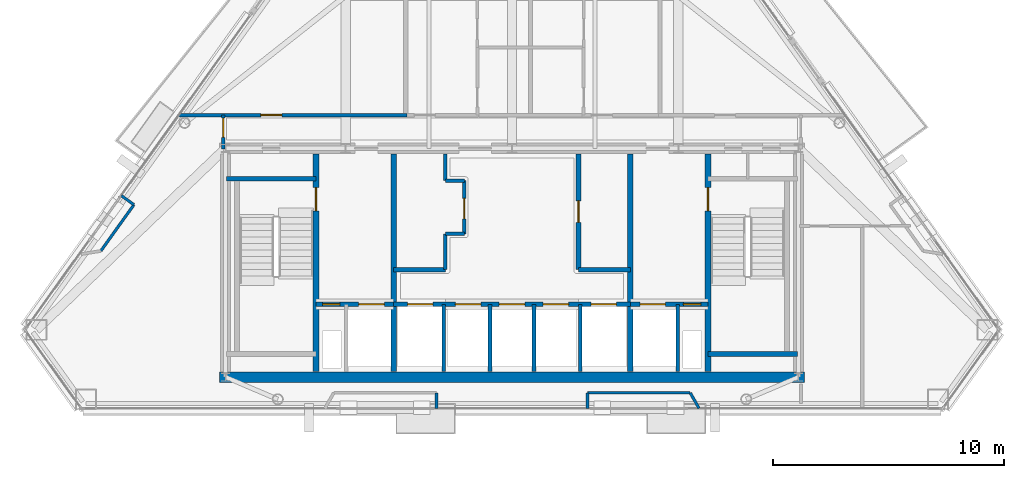
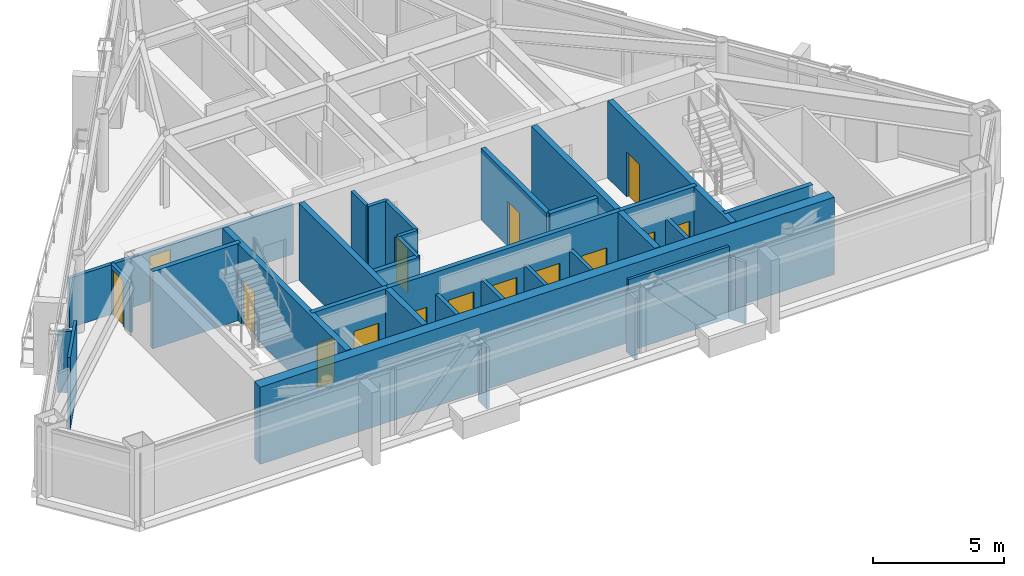
# One storey, part 8 of 12: 31 walls, 15 doors, 15 openings.
"""IFC4 building model written with IfcOpenShell, lengths in metres."""

from ifc_helpers import new_model, si_unit, direction, frame, frame_2d, origin, place, context, subcontext, project, spatial, rectangle, extrude, material, layer, layer_set, type_object, element, fill, save


model = new_model("IFC4")

# Units and contexts
model_context = context("Model", 3, precision=1e-05, world=origin(), true_north=direction((0.0, 1.0)))
body_context = subcontext(model_context, "Body", "Model", "MODEL_VIEW")
ifc_project = project(units=[si_unit("LENGTHUNIT", "METRE"), si_unit("AREAUNIT", "SQUARE_METRE"), si_unit("VOLUMEUNIT", "CUBIC_METRE"), si_unit("PLANEANGLEUNIT", "RADIAN"), si_unit("MASSUNIT", "GRAM", prefix="KILO")], contexts=[model_context])

# Site, building, storey
site_placement = place(None, origin())
site = spatial("IfcSite", under=ifc_project, at=site_placement, CompositionType="ELEMENT")
building_placement = place(site_placement, origin())
building = spatial("IfcBuilding", under=site, at=building_placement, Name="Talgorran Terracotta Tower", CompositionType="ELEMENT")
storey_placement = place(building_placement, frame((0.0, 0.0, 256.199951171875)))
storey = spatial("IfcBuildingStorey", under=building, at=storey_placement, Name="L67", CompositionType="ELEMENT", Elevation=256.199951171875)

# Walls
ifc_material_1 = material(Name="Concrete C50/60", Category="concrete")
ifc_layer_1 = layer(ifc_material_1, 0.199951171875, Name="WT_CORE_200")
ifc_layer_set_1 = layer_set([ifc_layer_1], Name="Concrete C50/60")
wall_type_1 = type_object("IfcWallType", Name="WT_CORE_200", PredefinedType="SOLIDWALL", material=ifc_layer_set_1)
for number, where, z_axis, x_axis, name in (
    (1, (-12.35009765625, -5.52001953125, 0.0), (0.0, 0.0, 1.0), (1.0, 0.0, 0.0), "WL-L67-CW-ST1-N"),
    (2, (8.47998046875, -13.10009765625, 0.0), (0.0, 0.0, 1.0), (1.0, 0.0, 0.0), "WL-L67-CW-ST2-S"),
):
    element("IfcWall", number, at=place(storey_placement, frame(where, z_axis=z_axis, x_axis=x_axis)), inside=storey, type_object=wall_type_1, Name=name, PredefinedType="SOLIDWALL", context=body_context, shape_type="SweptSolid", body=[
        extrude(rectangle(XDim=3.8701171875, YDim=0.199951171875, at=frame_2d((1.93505859375, 0.0))), origin(), (0.0, 0.0, 1.0), 3.60009765625),
    ])

# Wall, openings, doors
wall_1_placement = place(storey_placement, frame((-8.47998046875, -10.949951171875, 0.0), z_axis=(0.0, 0.0, 1.0), x_axis=(1.0, 0.0, 0.0)))
wall_1 = element("IfcWall", 3, at=wall_1_placement, inside=storey, type_object=wall_type_1, Name="WL-L67-CW-H-SBW", PredefinedType="SOLIDWALL", context=body_context, shape_type="SweptSolid", body=[
    extrude(rectangle(XDim=3.35986328125, YDim=0.199951171875, at=frame_2d((1.679931640625, 0.0))), origin(), (0.0, 0.0, 1.0), 3.60009765625),
])
opening_1_placement = place(wall_1_placement, frame((0.280029296875, 0.0, 0.0)))
opening_1 = element("IfcOpeningElement", 4, at=opening_1_placement, cuts=wall_1, Name="Opening DR-RSW", PredefinedType="OPENING", context=body_context, shape_type="SweptSolid", body=[
    extrude(rectangle(XDim=0.756, YDim=2.054048828125, at=frame_2d((0.375, 1.027099609375))), frame((0.0, 0.10986328125, 0.0), z_axis=(0.0, -1.0, 0.0), x_axis=(1.0, 0.0, 0.0)), (0.0, 0.0, 1.0), 0.219970703125),
])
opening_2_placement = place(wall_1_placement, frame((1.85009765625, 0.0, 0.0)))
opening_2 = element("IfcOpeningElement", 5, at=opening_2_placement, cuts=wall_1, Name="Opening LD-FFL1", PredefinedType="OPENING", context=body_context, shape_type="SweptSolid", body=[
    extrude(rectangle(XDim=1.10609765625, YDim=2.10409765625, at=frame_2d((0.550048828125, 1.052001953125))), frame((0.0, 0.10986328125, 0.0), z_axis=(0.0, -1.0, 0.0), x_axis=(1.0, 0.0, 0.0)), (0.0, 0.0, 1.0), 0.219970703125),
])
ifc_material_2 = material(Name="Brushed Stainless Steel Grade 304", Category="steel")
door_type_1 = type_object("IfcDoorType", Name="DT_LIFT_LD1100", OperationType="DOUBLE_DOOR_SLIDING", PredefinedType="DOOR", material=ifc_material_2)
door_1_placement = place(opening_2_placement, origin())
door_1 = element("IfcDoor", 6, at=door_1_placement, inside=storey, type_object=door_type_1, Name="L67 Lift Landing Door LD-FFL1", OperationType="DOUBLE_DOOR_SLIDING", OverallHeight=2.10009765625, OverallWidth=1.10009765625, PredefinedType="DOOR", context=body_context, shape_type="SweptSolid", body=[
    extrude(rectangle(XDim=1.10009765625, YDim=2.10009765625, at=frame_2d((0.550048828125, 1.050048828125))), frame((0.0, 0.02490234375, 0.0), z_axis=(0.0, -1.0, 0.0), x_axis=(1.0, 0.0, 0.0)), (0.0, 0.0, 1.0), 0.050048828125),
])
fill(opening_2, door_1)
ifc_material_3 = material(Name="Fire-Rated Pressed Steel", Category="steel")
door_type_2 = type_object("IfcDoorType", Name="DT_RISER_750", OperationType="NOTDEFINED", PredefinedType="DOOR", material=ifc_material_3)
door_2_placement = place(opening_1_placement, origin())
door_2 = element("IfcDoor", 7, at=door_2_placement, inside=storey, type_object=door_type_2, Name="DR-RSW", OperationType="SINGLE_SWING_LEFT", OverallHeight=2.050048828125, OverallWidth=0.75, PredefinedType="DOOR", context=body_context, shape_type="SweptSolid", body=[
    extrude(rectangle(XDim=0.75, YDim=2.050048828125, at=frame_2d((0.375, 1.02490234375))), frame((0.0, 0.02490234375, 0.0), z_axis=(0.0, -1.0, 0.0), x_axis=(1.0, 0.0, 0.0)), (0.0, 0.0, 1.0), 0.050048828125),
])
fill(opening_1, door_2)

wall_2_placement = place(storey_placement, frame((-5.1201171875, -10.949951171875, 0.0), z_axis=(0.0, 0.0, 1.0), x_axis=(1.0, 0.0, 0.0)))
wall_2 = element("IfcWall", 8, at=wall_2_placement, inside=storey, type_object=wall_type_1, Name="WL-L67-CW-H-SBC", PredefinedType="SOLIDWALL", context=body_context, shape_type="SweptSolid", body=[
    extrude(rectangle(XDim=10.240234375, YDim=0.199951171875, at=frame_2d((5.1201171875, 0.0))), origin(), (0.0, 0.0, 1.0), 3.60009765625),
])
opening_3_placement = place(wall_2_placement, frame((0.60009765625, 0.0, 0.0)))
opening_3 = element("IfcOpeningElement", 9, at=opening_3_placement, cuts=wall_2, Name="Opening LD-OB1", PredefinedType="OPENING", context=body_context, shape_type="SweptSolid", body=[
    extrude(rectangle(XDim=1.10609765625, YDim=2.10409765625, at=frame_2d((0.550048828125, 1.052001953125))), frame((0.0, 0.10986328125, 0.0), z_axis=(0.0, -1.0, 0.0), x_axis=(1.0, 0.0, 0.0)), (0.0, 0.0, 1.0), 0.219970703125),
])
opening_4_placement = place(wall_2_placement, frame((2.669921875, 0.0, 0.0)))
opening_4 = element("IfcOpeningElement", 10, at=opening_4_placement, cuts=wall_2, Name="Opening LD-PLH1", PredefinedType="OPENING", context=body_context, shape_type="SweptSolid", body=[
    extrude(rectangle(XDim=1.10609765625, YDim=2.10409765625, at=frame_2d((0.550048828125, 1.052001953125))), frame((0.0, 0.10986328125, 0.0), z_axis=(0.0, -1.0, 0.0), x_axis=(1.0, 0.0, 0.0)), (0.0, 0.0, 1.0), 0.219970703125),
])
opening_5_placement = place(wall_2_placement, frame((4.570068359375, 0.0, 0.0)))
opening_5 = element("IfcOpeningElement", 11, at=opening_5_placement, cuts=wall_2, Name="Opening LD-PLH2", PredefinedType="OPENING", context=body_context, shape_type="SweptSolid", body=[
    extrude(rectangle(XDim=1.10609765625, YDim=2.10409765625, at=frame_2d((0.550048828125, 1.052001953125))), frame((0.0, 0.10986328125, 0.0), z_axis=(0.0, -1.0, 0.0), x_axis=(1.0, 0.0, 0.0)), (0.0, 0.0, 1.0), 0.219970703125),
])
opening_6_placement = place(wall_2_placement, frame((6.469970703125, 0.0, 0.0)))
opening_6 = element("IfcOpeningElement", 12, at=opening_6_placement, cuts=wall_2, Name="Opening LD-PLH3", PredefinedType="OPENING", context=body_context, shape_type="SweptSolid", body=[
    extrude(rectangle(XDim=1.10609765625, YDim=2.10409765625, at=frame_2d((0.550048828125, 1.052001953125))), frame((0.0, 0.10986328125, 0.0), z_axis=(0.0, -1.0, 0.0), x_axis=(1.0, 0.0, 0.0)), (0.0, 0.0, 1.0), 0.219970703125),
])
opening_7_placement = place(wall_2_placement, frame((8.5400390625, 0.0, 0.0)))
opening_7 = element("IfcOpeningElement", 13, at=opening_7_placement, cuts=wall_2, Name="Opening LD-SVL1", PredefinedType="OPENING", context=body_context, shape_type="SweptSolid", body=[
    extrude(rectangle(XDim=1.10609765625, YDim=2.10409765625, at=frame_2d((0.550048828125, 1.052001953125))), frame((0.0, 0.10986328125, 0.0), z_axis=(0.0, -1.0, 0.0), x_axis=(1.0, 0.0, 0.0)), (0.0, 0.0, 1.0), 0.219970703125),
])
door_3_placement = place(opening_3_placement, origin())
door_3 = element("IfcDoor", 14, at=door_3_placement, inside=storey, type_object=door_type_1, Name="L67 Lift Landing Door LD-OB1", OperationType="DOUBLE_DOOR_SLIDING", OverallHeight=2.10009765625, OverallWidth=1.10009765625, PredefinedType="DOOR", context=body_context, shape_type="SweptSolid", body=[
    extrude(rectangle(XDim=1.10009765625, YDim=2.10009765625, at=frame_2d((0.550048828125, 1.050048828125))), frame((0.0, 0.02490234375, 0.0), z_axis=(0.0, -1.0, 0.0), x_axis=(1.0, 0.0, 0.0)), (0.0, 0.0, 1.0), 0.050048828125),
])
fill(opening_3, door_3)
door_4_placement = place(opening_4_placement, origin())
door_4 = element("IfcDoor", 15, at=door_4_placement, inside=storey, type_object=door_type_1, Name="L67 Lift Landing Door LD-PLH1", OperationType="DOUBLE_DOOR_SLIDING", OverallHeight=2.10009765625, OverallWidth=1.10009765625, PredefinedType="DOOR", context=body_context, shape_type="SweptSolid", body=[
    extrude(rectangle(XDim=1.10009765625, YDim=2.10009765625, at=frame_2d((0.550048828125, 1.050048828125))), frame((0.0, 0.02490234375, 0.0), z_axis=(0.0, -1.0, 0.0), x_axis=(1.0, 0.0, 0.0)), (0.0, 0.0, 1.0), 0.050048828125),
])
fill(opening_4, door_4)
door_5_placement = place(opening_5_placement, origin())
door_5 = element("IfcDoor", 16, at=door_5_placement, inside=storey, type_object=door_type_1, Name="L67 Lift Landing Door LD-PLH2", OperationType="DOUBLE_DOOR_SLIDING", OverallHeight=2.10009765625, OverallWidth=1.10009765625, PredefinedType="DOOR", context=body_context, shape_type="SweptSolid", body=[
    extrude(rectangle(XDim=1.10009765625, YDim=2.10009765625, at=frame_2d((0.550048828125, 1.050048828125))), frame((0.0, 0.02490234375, 0.0), z_axis=(0.0, -1.0, 0.0), x_axis=(1.0, 0.0, 0.0)), (0.0, 0.0, 1.0), 0.050048828125),
])
fill(opening_5, door_5)
door_6_placement = place(opening_6_placement, origin())
door_6 = element("IfcDoor", 17, at=door_6_placement, inside=storey, type_object=door_type_1, Name="L67 Lift Landing Door LD-PLH3", OperationType="DOUBLE_DOOR_SLIDING", OverallHeight=2.10009765625, OverallWidth=1.10009765625, PredefinedType="DOOR", context=body_context, shape_type="SweptSolid", body=[
    extrude(rectangle(XDim=1.10009765625, YDim=2.10009765625, at=frame_2d((0.550048828125, 1.050048828125))), frame((0.0, 0.02490234375, 0.0), z_axis=(0.0, -1.0, 0.0), x_axis=(1.0, 0.0, 0.0)), (0.0, 0.0, 1.0), 0.050048828125),
])
fill(opening_6, door_6)
door_7_placement = place(opening_7_placement, origin())
door_7 = element("IfcDoor", 18, at=door_7_placement, inside=storey, type_object=door_type_1, Name="L67 Lift Landing Door LD-SVL1", OperationType="DOUBLE_DOOR_SLIDING", OverallHeight=2.10009765625, OverallWidth=1.10009765625, PredefinedType="DOOR", context=body_context, shape_type="SweptSolid", body=[
    extrude(rectangle(XDim=1.10009765625, YDim=2.10009765625, at=frame_2d((0.550048828125, 1.050048828125))), frame((0.0, 0.02490234375, 0.0), z_axis=(0.0, -1.0, 0.0), x_axis=(1.0, 0.0, 0.0)), (0.0, 0.0, 1.0), 0.050048828125),
])
fill(opening_7, door_7)

wall_3_placement = place(storey_placement, frame((5.1201171875, -10.949951171875, 0.0), z_axis=(0.0, 0.0, 1.0), x_axis=(1.0, 0.0, 0.0)))
wall_3 = element("IfcWall", 19, at=wall_3_placement, inside=storey, type_object=wall_type_1, Name="WL-L67-CW-H-SBE", PredefinedType="SOLIDWALL", context=body_context, shape_type="SweptSolid", body=[
    extrude(rectangle(XDim=3.35986328125, YDim=0.199951171875, at=frame_2d((1.679931640625, 0.0))), origin(), (0.0, 0.0, 1.0), 3.60009765625),
])
opening_8_placement = place(wall_3_placement, frame((0.419921875, 0.0, 0.0)))
opening_8 = element("IfcOpeningElement", 20, at=opening_8_placement, cuts=wall_3, Name="Opening LD-FFL2", PredefinedType="OPENING", context=body_context, shape_type="SweptSolid", body=[
    extrude(rectangle(XDim=1.10609765625, YDim=2.10409765625, at=frame_2d((0.550048828125, 1.052001953125))), frame((0.0, 0.10986328125, 0.0), z_axis=(0.0, -1.0, 0.0), x_axis=(1.0, 0.0, 0.0)), (0.0, 0.0, 1.0), 0.219970703125),
])
opening_9_placement = place(wall_3_placement, frame((2.300048828125, 0.0, 0.0)))
opening_9 = element("IfcOpeningElement", 21, at=opening_9_placement, cuts=wall_3, Name="Opening DR-RSE", PredefinedType="OPENING", context=body_context, shape_type="SweptSolid", body=[
    extrude(rectangle(XDim=0.756, YDim=2.054048828125, at=frame_2d((0.375, 1.027099609375))), frame((0.0, 0.10986328125, 0.0), z_axis=(0.0, -1.0, 0.0), x_axis=(1.0, 0.0, 0.0)), (0.0, 0.0, 1.0), 0.219970703125),
])
door_8_placement = place(opening_8_placement, origin())
door_8 = element("IfcDoor", 22, at=door_8_placement, inside=storey, type_object=door_type_1, Name="L67 Lift Landing Door LD-FFL2", OperationType="DOUBLE_DOOR_SLIDING", OverallHeight=2.10009765625, OverallWidth=1.10009765625, PredefinedType="DOOR", context=body_context, shape_type="SweptSolid", body=[
    extrude(rectangle(XDim=1.10009765625, YDim=2.10009765625, at=frame_2d((0.550048828125, 1.050048828125))), frame((0.0, 0.02490234375, 0.0), z_axis=(0.0, -1.0, 0.0), x_axis=(1.0, 0.0, 0.0)), (0.0, 0.0, 1.0), 0.050048828125),
])
fill(opening_8, door_8)
door_9_placement = place(opening_9_placement, origin())
door_9 = element("IfcDoor", 23, at=door_9_placement, inside=storey, type_object=door_type_2, Name="DR-RSE", OperationType="SINGLE_SWING_RIGHT", OverallHeight=2.050048828125, OverallWidth=0.75, PredefinedType="DOOR", context=body_context, shape_type="SweptSolid", body=[
    extrude(rectangle(XDim=0.75, YDim=2.050048828125, at=frame_2d((0.375, 1.02490234375))), frame((0.0, 0.02490234375, 0.0), z_axis=(0.0, -1.0, 0.0), x_axis=(1.0, 0.0, 0.0)), (0.0, 0.0, 1.0), 0.050048828125),
])
fill(opening_9, door_9)

# Wall
wall_4_placement = place(storey_placement, frame((-5.1201171875, -9.449951171875, 0.0), z_axis=(0.0, 0.0, 1.0), x_axis=(1.0, 0.0, 0.0)))
element("IfcWall", 24, at=wall_4_placement, inside=storey, type_object=wall_type_1, Name="WL-L67-CW-H-W4", PredefinedType="SOLIDWALL", context=body_context, shape_type="SweptSolid", body=[
    extrude(rectangle(XDim=2.240234375, YDim=0.199951171875, at=frame_2d((1.1201171875, 0.0))), origin(), (0.0, 0.0, 1.0), 3.344970703125),
])

# Wall, opening, door
wall_5_placement = place(storey_placement, frame((2.8798828125, -9.449951171875, 0.0), z_axis=(0.0, 0.0, 1.0), x_axis=(0.0, 1.0, 0.0)))
wall_5 = element("IfcWall", 25, at=wall_5_placement, inside=storey, type_object=wall_type_1, Name="WL-L67-CW-V-E3", PredefinedType="SOLIDWALL", context=body_context, shape_type="SweptSolid", body=[
    extrude(rectangle(XDim=5.0, YDim=0.199951171875, at=frame_2d((2.5, 0.0))), origin(), (0.0, 0.0, 1.0), 3.344970703125),
])
opening_10_placement = place(wall_5_placement, frame((2.050048828125, 0.0, 0.0)))
opening_10 = element("IfcOpeningElement", 26, at=opening_10_placement, cuts=wall_5, Name="Opening DR-FRPLM-A", PredefinedType="OPENING", context=body_context, shape_type="SweptSolid", body=[
    extrude(rectangle(XDim=0.925921875, YDim=2.10409765625, at=frame_2d((0.4599609375, 1.052001953125))), frame((0.0, 0.10986328125, 0.0), z_axis=(0.0, -1.0, 0.0), x_axis=(1.0, 0.0, 0.0)), (0.0, 0.0, 1.0), 0.219970703125),
])
ifc_material_4 = material(Name="Solid-Core Painted Timber", Category="wood")
door_type_3 = type_object("IfcDoorType", Name="DT_INT_920", OperationType="NOTDEFINED", PredefinedType="DOOR", material=ifc_material_4)
door_10_placement = place(opening_10_placement, origin())
door_10 = element("IfcDoor", 27, at=door_10_placement, inside=storey, type_object=door_type_3, Name="DR-FRPLM-A", OperationType="SINGLE_SWING_RIGHT", OverallHeight=2.10009765625, OverallWidth=0.919921875, PredefinedType="DOOR", context=body_context, shape_type="SweptSolid", body=[
    extrude(rectangle(XDim=0.919921875, YDim=2.10009765625, at=frame_2d((0.4599609375, 1.050048828125))), frame((0.0, 0.02490234375, 0.0), z_axis=(0.0, -1.0, 0.0), x_axis=(1.0, 0.0, 0.0)), (0.0, 0.0, 1.0), 0.050048828125),
])
fill(opening_10, door_10)

# Wall
wall_6_placement = place(storey_placement, frame((2.8798828125, -9.449951171875, 0.0), z_axis=(0.0, 0.0, 1.0), x_axis=(1.0, 0.0, 0.0)))
element("IfcWall", 28, at=wall_6_placement, inside=storey, type_object=wall_type_1, Name="WL-L67-CW-H-E4", PredefinedType="SOLIDWALL", context=body_context, shape_type="SweptSolid", body=[
    extrude(rectangle(XDim=2.240234375, YDim=0.199951171875, at=frame_2d((1.1201171875, 0.0))), origin(), (0.0, 0.0, 1.0), 3.344970703125),
])

# Wall, opening, door
ifc_layer_2 = layer(ifc_material_1, 0.25, Name="WT_CORE_250")
ifc_layer_set_2 = layer_set([ifc_layer_2], Name="Concrete C50/60")
wall_type_2 = type_object("IfcWallType", Name="WT_CORE_250", PredefinedType="SHEAR", material=ifc_layer_set_2)
wall_7_placement = place(storey_placement, frame((-8.47998046875, -13.85009765625, 0.0), z_axis=(0.0, 0.0, 1.0), x_axis=(0.0, 1.0, 0.0)))
wall_7 = element("IfcWall", 29, at=wall_7_placement, inside=storey, type_object=wall_type_2, Name="WL-L67-CW-V-W1", PredefinedType="SHEAR", context=body_context, shape_type="SweptSolid", body=[
    extrude(rectangle(XDim=9.400146484375, YDim=0.25, at=frame_2d((4.7001953125, 0.0))), origin(), (0.0, 0.0, 1.0), 3.60009765625),
])
opening_11_placement = place(wall_7_placement, frame((6.949951171875, 0.0, 0.0)))
opening_11 = element("IfcOpeningElement", 30, at=opening_11_placement, cuts=wall_7, Name="Opening DR-ST01", PredefinedType="OPENING", context=body_context, shape_type="SweptSolid", body=[
    extrude(rectangle(XDim=1.006, YDim=2.10409765625, at=frame_2d((0.5, 1.052001953125))), frame((0.0, 0.135009765625, 0.0), z_axis=(0.0, -1.0, 0.0), x_axis=(1.0, 0.0, 0.0)), (0.0, 0.0, 1.0), 0.27001953125),
])
door_type_4 = type_object("IfcDoorType", Name="DT_FIRE_1000", OperationType="NOTDEFINED", PredefinedType="DOOR", material=ifc_material_3)
door_11_placement = place(opening_11_placement, origin())
door_11 = element("IfcDoor", 31, at=door_11_placement, inside=storey, type_object=door_type_4, Name="DR-ST01", OperationType="SINGLE_SWING_LEFT", OverallHeight=2.10009765625, OverallWidth=1.0, PredefinedType="DOOR", context=body_context, shape_type="SweptSolid", body=[
    extrude(rectangle(XDim=1.0, YDim=2.10009765625, at=frame_2d((0.5, 1.050048828125))), frame((0.0, 0.02490234375, 0.0), z_axis=(0.0, -1.0, 0.0), x_axis=(1.0, 0.0, 0.0)), (0.0, 0.0, 1.0), 0.050048828125),
])
fill(opening_11, door_11)

wall_8_placement = place(storey_placement, frame((8.47998046875, -13.85009765625, 0.0), z_axis=(0.0, 0.0, 1.0), x_axis=(0.0, 1.0, 0.0)))
wall_8 = element("IfcWall", 32, at=wall_8_placement, inside=storey, type_object=wall_type_2, Name="WL-L67-CW-V-E1", PredefinedType="SHEAR", context=body_context, shape_type="SweptSolid", body=[
    extrude(rectangle(XDim=9.400146484375, YDim=0.25, at=frame_2d((4.7001953125, 0.0))), origin(), (0.0, 0.0, 1.0), 3.60009765625),
])
opening_12_placement = place(wall_8_placement, frame((6.949951171875, 0.0, 0.0)))
opening_12 = element("IfcOpeningElement", 33, at=opening_12_placement, cuts=wall_8, Name="Opening DR-ST02", PredefinedType="OPENING", context=body_context, shape_type="SweptSolid", body=[
    extrude(rectangle(XDim=1.006, YDim=2.10409765625, at=frame_2d((0.5, 1.052001953125))), frame((0.0, 0.135009765625, 0.0), z_axis=(0.0, -1.0, 0.0), x_axis=(1.0, 0.0, 0.0)), (0.0, 0.0, 1.0), 0.27001953125),
])
door_12_placement = place(opening_12_placement, origin())
door_12 = element("IfcDoor", 34, at=door_12_placement, inside=storey, type_object=door_type_4, Name="DR-ST02", OperationType="SINGLE_SWING_RIGHT", OverallHeight=2.10009765625, OverallWidth=1.0, PredefinedType="DOOR", context=body_context, shape_type="SweptSolid", body=[
    extrude(rectangle(XDim=1.0, YDim=2.10009765625, at=frame_2d((0.5, 1.050048828125))), frame((0.0, 0.02490234375, 0.0), z_axis=(0.0, -1.0, 0.0), x_axis=(1.0, 0.0, 0.0)), (0.0, 0.0, 1.0), 0.050048828125),
])
fill(opening_12, door_12)

# Walls
for number, where, z_axis, x_axis, name in (
    (35, (-5.1201171875, -13.85009765625, 0.0), (0.0, 0.0, 1.0), (0.0, 1.0, 0.0), "WL-L67-CW-V-W2"),
    (36, (5.1201171875, -13.85009765625, 0.0), (0.0, 0.0, 1.0), (0.0, 1.0, 0.0), "WL-L67-CW-V-E2"),
):
    element("IfcWall", number, at=place(storey_placement, frame(where, z_axis=z_axis, x_axis=x_axis)), inside=storey, type_object=wall_type_2, Name=name, PredefinedType="SHEAR", context=body_context, shape_type="SweptSolid", body=[
        extrude(rectangle(XDim=9.400146484375, YDim=0.25, at=frame_2d((4.7001953125, 0.0))), origin(), (0.0, 0.0, 1.0), 3.60009765625),
    ])
ifc_material_5 = material(Name="Concrete C65/80", Category="concrete")
ifc_layer_3 = layer(ifc_material_5, 0.449951171875, Name="WT_CORE_EXT")
ifc_layer_set_3 = layer_set([ifc_layer_3], Name="Concrete C65/80")
wall_type_3 = type_object("IfcWallType", Name="WT_CORE_EXT", PredefinedType="SHEAR", material=ifc_layer_set_3)
wall_9_placement = place(storey_placement, frame((-12.64990234375, -14.10009765625, 0.0), z_axis=(0.0, 0.0, 1.0), x_axis=(1.0, 0.0, 0.0)))
element("IfcWall", 37, at=wall_9_placement, inside=storey, type_object=wall_type_3, Name="WL-L67-CW-OUT-S", PredefinedType="SHEAR", context=body_context, shape_type="SweptSolid", body=[
    extrude(rectangle(XDim=25.2998046875, YDim=0.449951171875, at=frame_2d((12.64990234375, 0.0))), origin(), (0.0, 0.0, 1.0), 3.60009765625),
])
ifc_material_6 = material(Name="Fire-Rated Steel Stud Plasterboard", Category="steel")
ifc_layer_4 = layer(ifc_material_6, 0.14990234375, Name="WT_FIRE_150")
ifc_layer_set_4 = layer_set([ifc_layer_4], Name="Fire-Rated Steel Stud Plasterboard")
wall_type_4 = type_object("IfcWallType", Name="WT_FIRE_150", PredefinedType="PARTITIONING", material=ifc_layer_set_4)
wall_10_placement = place(storey_placement, frame((-2.8798828125, -9.449951171875, 0.0), z_axis=(0.0, 0.0, 1.0), x_axis=(0.0, 1.0, 0.0)))
element("IfcWall", 38, at=wall_10_placement, inside=storey, type_object=wall_type_4, Name="WL-L67-CW-V-W3A", PredefinedType="PARTITIONING", context=body_context, shape_type="SweptSolid", body=[
    extrude(rectangle(XDim=1.550048828125, YDim=0.14990234375, at=frame_2d((0.77490234375, 0.0))), origin(), (0.0, 0.0, 1.0), 3.344970703125),
])
wall_11_placement = place(storey_placement, frame((-2.8798828125, -7.89990234375, 0.0), z_axis=(0.0, 0.0, 1.0), x_axis=(1.0, 0.0, 0.0)))
element("IfcWall", 39, at=wall_11_placement, inside=storey, type_object=wall_type_4, Name="WL-L67-CW-H-W3B", PredefinedType="PARTITIONING", context=body_context, shape_type="SweptSolid", body=[
    extrude(rectangle(XDim=0.81982421875, YDim=0.14990234375, at=frame_2d((0.409912109375, 0.0))), origin(), (0.0, 0.0, 1.0), 3.344970703125),
])

# Wall, opening, door
wall_12_placement = place(storey_placement, frame((-2.06005859375, -7.89990234375, 0.0), z_axis=(0.0, 0.0, 1.0), x_axis=(0.0, 1.0, 0.0)))
wall_12 = element("IfcWall", 40, at=wall_12_placement, inside=storey, type_object=wall_type_4, Name="WL-L67-CW-V-W3C", PredefinedType="PARTITIONING", context=body_context, shape_type="SweptSolid", body=[
    extrude(rectangle(XDim=2.2998046875, YDim=0.14990234375, at=frame_2d((1.14990234375, 0.0))), origin(), (0.0, 0.0, 1.0), 3.344970703125),
])
opening_13_placement = place(wall_12_placement, frame((0.64990234375, 0.0, 0.0)))
opening_13 = element("IfcOpeningElement", 41, at=opening_13_placement, cuts=wall_12, Name="Opening DR-FRPLL-B", PredefinedType="OPENING", context=body_context, shape_type="SweptSolid", body=[
    extrude(rectangle(XDim=0.8858828125, YDim=2.10409765625, at=frame_2d((0.43994140625, 1.052001953125))), frame((0.0, 0.0849609375, 0.0), z_axis=(0.0, -1.0, 0.0), x_axis=(1.0, 0.0, 0.0)), (0.0, 0.0, 1.0), 0.169921875),
])
door_type_5 = type_object("IfcDoorType", Name="DT_INT_880", OperationType="NOTDEFINED", PredefinedType="DOOR", material=ifc_material_4)
door_13_placement = place(opening_13_placement, origin())
door_13 = element("IfcDoor", 42, at=door_13_placement, inside=storey, type_object=door_type_5, Name="DR-FRPLL-B", OperationType="SINGLE_SWING_LEFT", OverallHeight=2.10009765625, OverallWidth=0.8798828125, PredefinedType="DOOR", context=body_context, shape_type="SweptSolid", body=[
    extrude(rectangle(XDim=0.8798828125, YDim=2.10009765625, at=frame_2d((0.43994140625, 1.050048828125))), frame((0.0, 0.02490234375, 0.0), z_axis=(0.0, -1.0, 0.0), x_axis=(1.0, 0.0, 0.0)), (0.0, 0.0, 1.0), 0.050048828125),
])
fill(opening_13, door_13)

# Walls
wall_13_placement = place(storey_placement, frame((-2.8798828125, -5.60009765625, 0.0), z_axis=(0.0, 0.0, 1.0), x_axis=(1.0, 0.0, 0.0)))
element("IfcWall", 43, at=wall_13_placement, inside=storey, type_object=wall_type_4, Name="WL-L67-CW-H-W3D", PredefinedType="PARTITIONING", context=body_context, shape_type="SweptSolid", body=[
    extrude(rectangle(XDim=0.81982421875, YDim=0.14990234375, at=frame_2d((0.409912109375, 0.0))), origin(), (0.0, 0.0, 1.0), 3.344970703125),
])
wall_14_placement = place(storey_placement, frame((-2.8798828125, -5.60009765625, 0.0), z_axis=(0.0, 0.0, 1.0), x_axis=(0.0, 1.0, 0.0)))
element("IfcWall", 44, at=wall_14_placement, inside=storey, type_object=wall_type_4, Name="WL-L67-CW-V-W3E", PredefinedType="PARTITIONING", context=body_context, shape_type="SweptSolid", body=[
    extrude(rectangle(XDim=1.150146484375, YDim=0.14990234375, at=frame_2d((0.5751953125, 0.0))), origin(), (0.0, 0.0, 1.0), 3.344970703125),
])

# Wall, opening, door
wall_15_placement = place(storey_placement, frame((-14.419921875, -2.760009765625, 0.0), z_axis=(0.0, 0.0, 1.0), x_axis=(1.0, 0.0, 0.0)))
wall_15 = element("IfcWall", 45, at=wall_15_placement, inside=storey, type_object=wall_type_4, Name="WL-L67-W-L67-R03", PredefinedType="PARTITIONING", context=body_context, shape_type="SweptSolid", body=[
    extrude(rectangle(XDim=9.8798828125, YDim=0.14990234375, at=frame_2d((4.93994140625, 0.0))), origin(), (0.0, 0.0, 1.0), 2.320068359375),
])
opening_14_placement = place(wall_15_placement, frame((3.555419921875, 0.0, 0.0)))
opening_14 = element("IfcOpeningElement", 46, at=opening_14_placement, cuts=wall_15, Name="Opening DR-L67-R05", PredefinedType="OPENING", context=body_context, shape_type="SweptSolid", body=[
    extrude(rectangle(XDim=0.90590234375, YDim=2.10409765625, at=frame_2d((0.449951171875, 1.052001953125))), frame((0.0, 0.0849609375, 0.0), z_axis=(0.0, -1.0, 0.0), x_axis=(1.0, 0.0, 0.0)), (0.0, 0.0, 1.0), 0.169921875),
])
ifc_material_7 = material(Name="Fire-Rated Timber Core", Category="wood")
door_type_6 = type_object("IfcDoorType", Name="DT_FIRE_900", OperationType="NOTDEFINED", PredefinedType="DOOR", material=ifc_material_7)
door_14_placement = place(opening_14_placement, origin())
door_14 = element("IfcDoor", 47, at=door_14_placement, inside=storey, type_object=door_type_6, Name="DR-L67-R05", OperationType="SINGLE_SWING_LEFT", OverallHeight=2.10009765625, OverallWidth=0.89990234375, PredefinedType="DOOR", context=body_context, shape_type="SweptSolid", body=[
    extrude(rectangle(XDim=0.89990234375, YDim=2.10009765625, at=frame_2d((0.449951171875, 1.050048828125))), frame((0.0, 0.02490234375, 0.0), z_axis=(0.0, -1.0, 0.0), x_axis=(1.0, 0.0, 0.0)), (0.0, 0.0, 1.0), 0.050048828125),
])
fill(opening_14, door_14)

wall_16_placement = place(storey_placement, frame((-12.5, -4.239990234375, 0.0), z_axis=(0.0, 0.0, 1.0), x_axis=(0.0, 1.0, 0.0)))
wall_16 = element("IfcWall", 48, at=wall_16_placement, inside=storey, type_object=wall_type_4, Name="WL-L67-W-L67-R01", PredefinedType="PARTITIONING", context=body_context, shape_type="SweptSolid", body=[
    extrude(rectangle(XDim=1.47998046875, YDim=0.14990234375, at=frame_2d((0.739990234375, 0.0))), origin(), (0.0, 0.0, 1.0), 2.320068359375),
])
opening_15_placement = place(wall_16_placement, frame((0.521728515625, 0.0, 0.0)))
opening_15 = element("IfcOpeningElement", 49, at=opening_15_placement, cuts=wall_16, Name="Opening DR-L67-R01", PredefinedType="OPENING", context=body_context, shape_type="SweptSolid", body=[
    extrude(rectangle(XDim=0.826068359375, YDim=2.10409765625, at=frame_2d((0.41015625, 1.052001953125))), frame((0.0, 0.0849609375, 0.0), z_axis=(0.0, -1.0, 0.0), x_axis=(1.0, 0.0, 0.0)), (0.0, 0.0, 1.0), 0.169921875),
])
ifc_material_8 = material(Name="Moisture-Resistant Solid Timber", Category="wood")
door_type_7 = type_object("IfcDoorType", Name="DT_INT_820", OperationType="NOTDEFINED", PredefinedType="DOOR", material=ifc_material_8)
door_15_placement = place(opening_15_placement, origin())
door_15 = element("IfcDoor", 50, at=door_15_placement, inside=storey, type_object=door_type_7, Name="DR-L67-R01", OperationType="SINGLE_SWING_LEFT", OverallHeight=2.10009765625, OverallWidth=0.820068359375, PredefinedType="DOOR", context=body_context, shape_type="SweptSolid", body=[
    extrude(rectangle(XDim=0.820068359375, YDim=2.10009765625, at=frame_2d((0.41015625, 1.050048828125))), frame((0.0, 0.02490234375, 0.0), z_axis=(0.0, -1.0, 0.0), x_axis=(1.0, 0.0, 0.0)), (0.0, 0.0, 1.0), 0.050048828125),
])
fill(opening_15, door_15)

# Walls
ifc_material_9 = material(Name="Insulated Steel Stud Plasterboard", Category="steel")
ifc_layer_5 = layer(ifc_material_9, 0.1201171875, Name="WT_PART_120")
ifc_layer_set_5 = layer_set([ifc_layer_5], Name="Insulated Steel Stud Plasterboard")
wall_type_5 = type_object("IfcWallType", Name="WT_PART_120", PredefinedType="PARTITIONING", material=ifc_layer_set_5)
wall_17_placement = place(storey_placement, frame((3.26953125, -14.783203125, 0.0), z_axis=(0.0, 0.0, 1.0), x_axis=(1.0, 0.0, 0.0)))
element("IfcWall", 51, at=wall_17_placement, inside=storey, type_object=wall_type_5, Name="WL-L67-BW-L67-06", PredefinedType="PARTITIONING", context=body_context, shape_type="SweptSolid", body=[
    extrude(rectangle(XDim=4.445068359375, YDim=0.1201171875, at=frame_2d((2.22265625, 0.0))), origin(), (0.0, 0.0, 1.0), 3.344970703125),
])
wall_18_placement = place(storey_placement, frame((-16.3623046875, -6.640380859375, 0.0), z_axis=(0.0, 0.0, 1.0), x_axis=(-0.582204312634, -0.813042519399, 0.0)))
element("IfcWall", 52, at=wall_18_placement, inside=storey, type_object=wall_type_5, Name="WL-L67-BW-L67-08", PredefinedType="PARTITIONING", context=body_context, shape_type="SweptSolid", body=[
    extrude(rectangle(XDim=2.461181640625, YDim=0.1201171875, at=frame_2d((1.23046875, 0.0))), origin(), (0.0, 0.0, 1.0), 3.344970703125),
])
wall_19_placement = place(storey_placement, frame((7.714599609375, -14.783203125, 0.0), z_axis=(0.0, 0.0, 1.0), x_axis=(0.494091029217, -0.869410176411, 0.0)))
element("IfcWall", 53, at=wall_19_placement, inside=storey, type_object=wall_type_5, Name="WL-L67-BW-L67-04", PredefinedType="PARTITIONING", context=body_context, shape_type="SweptSolid", body=[
    extrude(rectangle(XDim=0.770751953125, YDim=0.1201171875, at=frame_2d((0.38525390625, 0.0))), origin(), (0.0, 0.0, 1.0), 2.863037109375),
])
wall_20_placement = place(storey_placement, frame((-16.906982421875, -6.25048828125, 0.0), z_axis=(0.0, 0.0, 1.0), x_axis=(0.813142011208, -0.582065348229, 0.0)))
element("IfcWall", 54, at=wall_20_placement, inside=storey, type_object=wall_type_5, Name="WL-L67-BW-L67-07", PredefinedType="PARTITIONING", context=body_context, shape_type="SweptSolid", body=[
    extrude(rectangle(XDim=0.669921875, YDim=0.1201171875, at=frame_2d((0.3349609375, 0.0))), origin(), (0.0, 0.0, 1.0), 2.863037109375),
])
for number, where, z_axis, x_axis, name in (
    (55, (-3.26953125, -14.783203125, 0.0), (0.0, 0.0, 1.0), (0.0, -1.0, 0.0), "WL-L67-BW-L67-02"),
    (56, (3.26953125, -15.453369140625, 0.0), (0.0, 0.0, 1.0), (0.0, 1.0, 0.0), "WL-L67-BW-L67-05"),
):
    element("IfcWall", number, at=place(storey_placement, frame(where, z_axis=z_axis, x_axis=x_axis)), inside=storey, type_object=wall_type_5, Name=name, PredefinedType="PARTITIONING", context=body_context, shape_type="SweptSolid", body=[
        extrude(rectangle(XDim=0.670166015625, YDim=0.1201171875, at=frame_2d((0.3349609375, 0.0))), origin(), (0.0, 0.0, 1.0), 2.863037109375),
    ])
ifc_material_10 = material(Name="Fire-Rated Shaftwall")
ifc_layer_6 = layer(ifc_material_10, 0.159912109375, Name="WT_PART_150")
ifc_layer_set_6 = layer_set([ifc_layer_6], Name="Fire-Rated Shaftwall")
wall_type_6 = type_object("IfcWallType", Name="WT_PART_150", PredefinedType="PARTITIONING", material=ifc_layer_set_6)
for number, where, z_axis, x_axis, name in (
    (57, (7.179931640625, -13.85009765625, 0.0), (0.0, 0.0, 1.0), (0.0, 1.0, 0.0), "WL-L67-CW-RSE"),
    (58, (-2.949951171875, -13.85009765625, 0.0), (0.0, 0.0, 1.0), (0.0, 1.0, 0.0), "WL-L67-CW-OB-E"),
    (59, (2.949951171875, -13.85009765625, 0.0), (0.0, 0.0, 1.0), (0.0, 1.0, 0.0), "WL-L67-CW-SV-W"),
    (60, (-0.949951171875, -13.85009765625, 0.0), (0.0, 0.0, 1.0), (0.0, 1.0, 0.0), "WL-L67-CW-PLH-D1"),
    (61, (0.949951171875, -13.85009765625, 0.0), (0.0, 0.0, 1.0), (0.0, 1.0, 0.0), "WL-L67-CW-PLH-D2"),
):
    element("IfcWall", number, at=place(storey_placement, frame(where, z_axis=z_axis, x_axis=x_axis)), inside=storey, type_object=wall_type_6, Name=name, PredefinedType="PARTITIONING", context=body_context, shape_type="SweptSolid", body=[
        extrude(rectangle(XDim=2.900146484375, YDim=0.159912109375, at=frame_2d((1.4501953125, 0.0))), origin(), (0.0, 0.0, 1.0), 2.570068359375),
    ])

save(model, "model.ifc")
